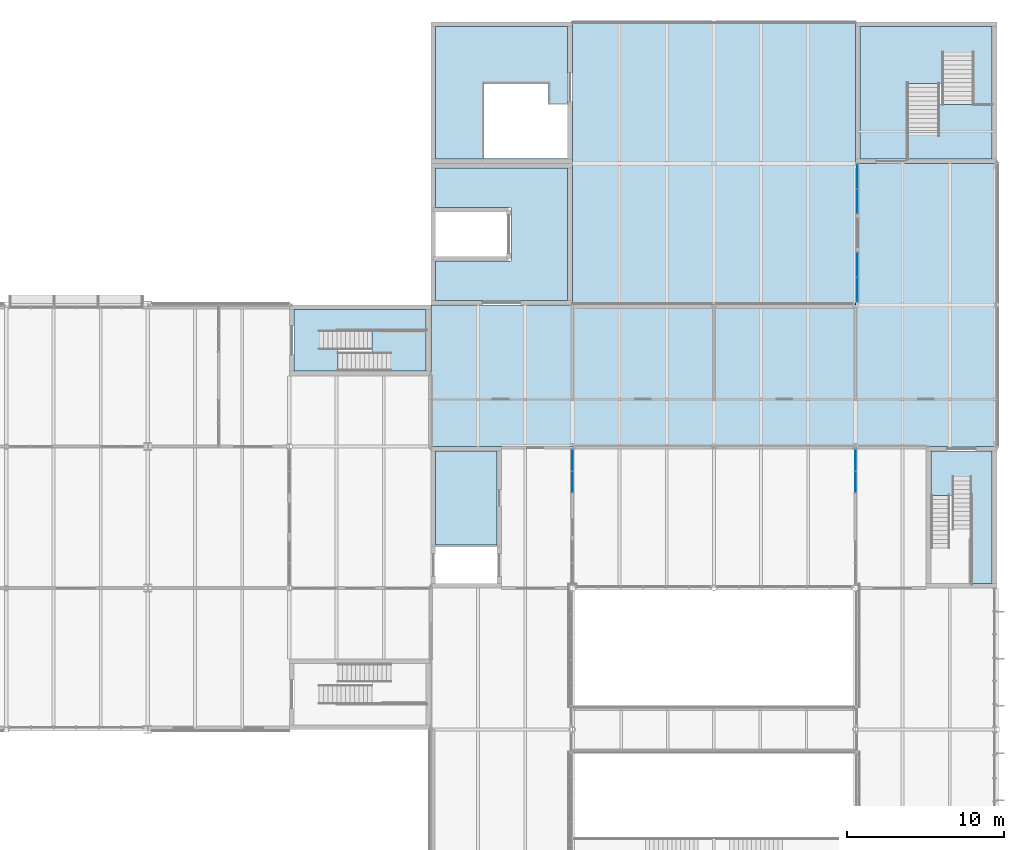
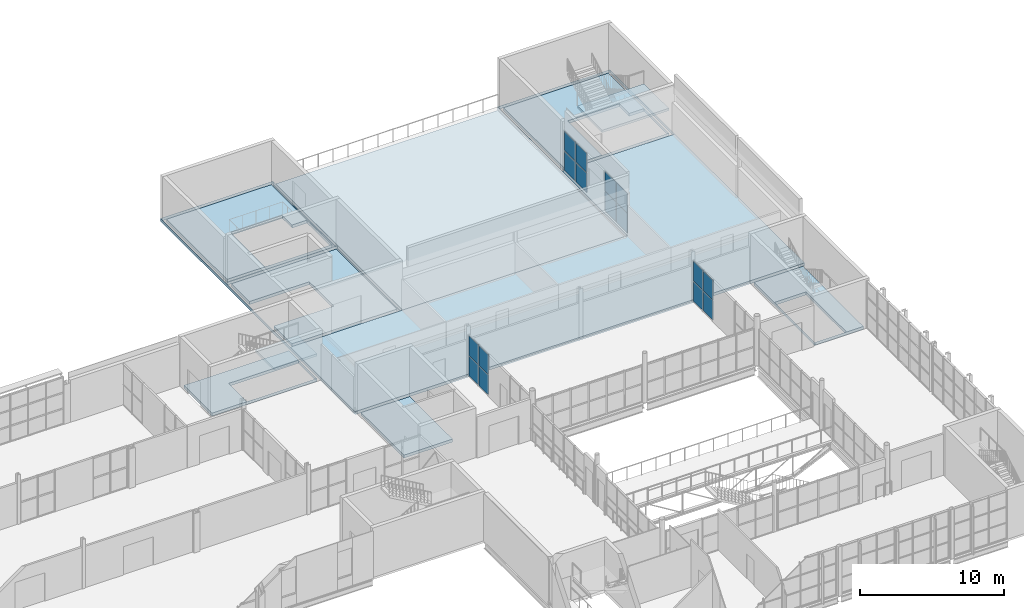
# One storey, part 40 of 61: 16 plates, 10 slabs, 6 elements without a shape of their own.
"""IFC4 building model written with IfcOpenShell, lengths in metres."""

from ifc_helpers import new_model, si_unit, direction, frame, origin, origin_2d, place, context, subcontext, project, spatial, polyline, rectangle, outline, extrude, material, layer, layer_set, type_object, element, aggregate, save


model = new_model("IFC4")

# Units and contexts
model_context = context("Model", 3, precision=1e-05, world=origin(), true_north=direction((0.0, 1.0)))
body_context = subcontext(model_context, "Body", "Model", "MODEL_VIEW")
ifc_project = project(units=[si_unit("LENGTHUNIT", "METRE"), si_unit("AREAUNIT", "SQUARE_METRE"), si_unit("VOLUMEUNIT", "CUBIC_METRE"), si_unit("PLANEANGLEUNIT", "RADIAN"), si_unit("MASSUNIT", "GRAM", prefix="KILO")], contexts=[model_context])

# Site, building, storey
site_placement = place(None, origin())
site = spatial("IfcSite", under=ifc_project, at=site_placement, CompositionType="ELEMENT")
building_placement = place(site_placement, origin())
building = spatial("IfcBuilding", under=site, at=building_placement, Name="Halyard Row Museum", CompositionType="ELEMENT")
storey_placement = place(building_placement, frame((0.0, 0.0, 9.199951171875)))
storey = spatial("IfcBuildingStorey", under=building, at=storey_placement, Name="L02", CompositionType="ELEMENT", Elevation=9.199951171875)

# Slabs
ifc_material_1 = material(Name="Concrete 40 MPa", Category="concrete")
ifc_layer_1 = layer(ifc_material_1, 0.25)
ifc_layer_set_1 = layer_set([ifc_layer_1], Name="Concrete 40 MPa")
slab_type_1 = type_object("IfcSlabType", Name="Composite floor slab heavy duty", PredefinedType="FLOOR", material=ifc_layer_set_1)
slab_1_placement = place(storey_placement, frame((0.0, 0.0, -0.25)))
element("IfcSlab", 1, at=slab_1_placement, inside=storey, type_object=slab_type_1, Name="Floor slab L02-03", PredefinedType="FLOOR", context=body_context, shape_type="SweptSolid", body=[
    extrude(outline(polyline([(72.0, 36.0), (108.0, 36.0), (108.0, 63.0), (99.0, 63.0), (99.0, 45.0), (81.0, 45.0), (81.0, 63.0), (72.0, 63.0), (72.0, 36.0)]), holes=[polyline([(80.9951171875, 45.0048828125), (72.0048828125, 45.0048828125), (72.0048828125, 53.9951171875), (80.9951171875, 53.9951171875), (80.9951171875, 45.0048828125)]), polyline([(80.9951171875, 54.0048828125), (72.0048828125, 54.0048828125), (72.0048828125, 62.9951171875), (80.9951171875, 62.9951171875), (80.9951171875, 54.0048828125)]), polyline([(107.9951171875, 54.0048828125), (99.0048828125, 54.0048828125), (99.0048828125, 62.9951171875), (107.9951171875, 62.9951171875), (107.9951171875, 54.0048828125)])]), origin(), (0.0, 0.0, 1.0), 0.25),
])
ifc_material_2 = material(Name="Concrete 40 MPa", Category="concrete")
ifc_layer_2 = layer(ifc_material_2, 0.25)
ifc_layer_set_2 = layer_set([ifc_layer_2], Name="Concrete 40 MPa")
slab_type_2 = type_object("IfcSlabType", Name="Core floor slab 250", PredefinedType="FLOOR", material=ifc_layer_set_2)
slab_2_placement = place(storey_placement, frame((0.0, 0.0, -0.25)))
element("IfcSlab", 2, at=slab_2_placement, inside=storey, type_object=slab_type_2, Name="Core floor K1B L02", PredefinedType="FLOOR", context=body_context, shape_type="SweptSolid", body=[
    extrude(outline(polyline([(71.699951171875, 44.699951171875), (63.300048828125, 44.699951171875), (63.300048828125, 40.800048828125), (71.699951171875, 40.800048828125), (71.699951171875, 44.699951171875)]), holes=[polyline([(71.697021484375, 43.346923828125), (71.697021484375, 40.802978515625), (66.10302734375, 40.802978515625), (66.10302734375, 43.346923828125), (71.697021484375, 43.346923828125)])]), origin(), (0.0, 0.0, 1.0), 0.25),
])
slab_3_placement = place(storey_placement, frame((0.0, 0.0, -0.25)))
element("IfcSlab", 3, at=slab_3_placement, inside=storey, type_object=slab_type_2, Name="Core floor K2C L02", PredefinedType="FLOOR", context=body_context, shape_type="SweptSolid", body=[
    extrude(outline(polyline([(107.699951171875, 35.699951171875), (103.800048828125, 35.699951171875), (103.800048828125, 27.300048828125), (107.699951171875, 27.300048828125), (107.699951171875, 35.699951171875)]), holes=[polyline([(106.346923828125, 27.302978515625), (103.802978515625, 27.302978515625), (103.802978515625, 32.89697265625), (106.346923828125, 32.89697265625), (106.346923828125, 27.302978515625)])]), origin(), (0.0, 0.0, 1.0), 0.25),
])
slab_4_placement = place(storey_placement, frame((0.0, 0.0, -0.25)))
element("IfcSlab", 4, at=slab_4_placement, inside=storey, type_object=slab_type_2, Name="Core floor K5A L02", PredefinedType="FLOOR", context=body_context, shape_type="SweptSolid", body=[
    extrude(outline(polyline([(80.699951171875, 62.699951171875), (72.300048828125, 62.699951171875), (72.300048828125, 54.300048828125), (80.699951171875, 54.300048828125), (80.699951171875, 62.699951171875)]), holes=[polyline([(79.4970703125, 59.096923828125), (79.4970703125, 57.737060546875), (80.697021484375, 57.737060546875), (80.697021484375, 54.302978515625), (75.35302734375, 54.302978515625), (75.35302734375, 59.096923828125), (79.4970703125, 59.096923828125)])]), origin(), (0.0, 0.0, 1.0), 0.25),
])
slab_5_placement = place(storey_placement, frame((0.0, 0.0, -0.25)))
element("IfcSlab", 5, at=slab_5_placement, inside=storey, type_object=slab_type_2, Name="Core floor K5B L02", PredefinedType="FLOOR", context=body_context, shape_type="SweptSolid", body=[
    extrude(outline(polyline([(107.699951171875, 62.699951171875), (99.300048828125, 62.699951171875), (99.300048828125, 54.300048828125), (107.699951171875, 54.300048828125), (107.699951171875, 62.699951171875)]), holes=[polyline([(106.4970703125, 59.096923828125), (106.4970703125, 57.737060546875), (107.697021484375, 57.737060546875), (107.697021484375, 54.302978515625), (102.35302734375, 54.302978515625), (102.35302734375, 59.096923828125), (106.4970703125, 59.096923828125)])]), origin(), (0.0, 0.0, 1.0), 0.25),
])
slab_6_placement = place(storey_placement, frame((0.0, 0.0, -0.25)))
element("IfcSlab", 6, at=slab_6_placement, inside=storey, type_object=slab_type_2, Name="Core floor K8 L02", PredefinedType="FLOOR", context=body_context, shape_type="SweptSolid", body=[
    extrude(outline(polyline([(80.699951171875, 53.699951171875), (72.300048828125, 53.699951171875), (72.300048828125, 51.199951171875), (77.10009765625, 51.199951171875), (77.10009765625, 47.800048828125), (72.300048828125, 47.800048828125), (72.300048828125, 45.300048828125), (80.699951171875, 45.300048828125), (80.699951171875, 53.699951171875)])), origin(), (0.0, 0.0, 1.0), 0.25),
])
slab_7_placement = place(storey_placement, frame((0.0, 0.0, -0.25)))
element("IfcSlab", 7, at=slab_7_placement, inside=storey, type_object=slab_type_2, Name="Core floor K7 L02", PredefinedType="FLOOR", context=body_context, shape_type="SweptSolid", body=[
    extrude(outline(polyline([(76.199951171875, 35.699951171875), (72.300048828125, 35.699951171875), (72.300048828125, 29.75), (76.199951171875, 29.75), (76.199951171875, 35.699951171875)])), origin(), (0.0, 0.0, 1.0), 0.25),
])

# Curtain wall, plates
ifc_material_3 = material(Name="Double glazed unit, low-emissivity", Category="glass")
ifc_layer_3 = layer(ifc_material_3, 0.179931640625)
ifc_layer_set_3 = layer_set([ifc_layer_3], Name="Double glazed unit, low-emissivity")
curtain_wall_type_1 = type_object("IfcCurtainWallType", Name="Curtain wall stick 180 deep", PredefinedType="NOTDEFINED", material=ifc_layer_set_3)
curtain_wall_1_placement = place(storey_placement, origin())
curtain_wall_1 = element("IfcCurtainWall", 8, at=curtain_wall_1_placement, inside=storey, type_object=curtain_wall_type_1, Name="Curtain wall CW033", PredefinedType="NOTDEFINED")
ifc_material_4 = material(Name="Double glazed unit, low-emissivity", Category="glass")
ifc_layer_4 = layer(ifc_material_4, 0.028076171875)
ifc_layer_set_4 = layer_set([ifc_layer_4], Name="Double glazed unit, low-emissivity")
plate_type_1 = type_object("IfcPlateType", Name="Curtain wall glazed panel CP2 28", PredefinedType="CURTAIN_PANEL", material=ifc_layer_set_4)
plate_1_placement = place(storey_placement, frame((99.139892578125, 53.1787109375, 0.06005859375), z_axis=(0.0, 0.0, 1.0), x_axis=(0.0, -1.0, 0.0)))
plate_1 = element("IfcPlate", 9, at=plate_1_placement, type_object=plate_type_1, Name="CW033 panel 1.1", PredefinedType="CURTAIN_PANEL", context=body_context, shape_type="SweptSolid", body=[
    extrude(rectangle(XDim=1.5224609375, YDim=0.028076171875, at=origin_2d()), origin(), (0.0, 0.0, 1.0), 1.635009765625),
])
plate_2_placement = place(storey_placement, frame((99.139892578125, 53.1787109375, 1.7548828125), z_axis=(0.0, 0.0, 1.0), x_axis=(0.0, -1.0, 0.0)))
plate_2 = element("IfcPlate", 10, at=plate_2_placement, type_object=plate_type_1, Name="CW033 panel 1.2", PredefinedType="CURTAIN_PANEL", context=body_context, shape_type="SweptSolid", body=[
    extrude(rectangle(XDim=1.5224609375, YDim=0.028076171875, at=origin_2d()), origin(), (0.0, 0.0, 1.0), 1.635009765625),
])
plate_3_placement = place(storey_placement, frame((99.139892578125, 51.59619140625, 0.06005859375), z_axis=(0.0, 0.0, 1.0), x_axis=(0.0, -1.0, 0.0)))
plate_3 = element("IfcPlate", 11, at=plate_3_placement, type_object=plate_type_1, Name="CW033 panel 2.1", PredefinedType="CURTAIN_PANEL", context=body_context, shape_type="SweptSolid", body=[
    extrude(rectangle(XDim=1.5224609375, YDim=0.028076171875, at=origin_2d()), origin(), (0.0, 0.0, 1.0), 1.635009765625),
])
plate_4_placement = place(storey_placement, frame((99.139892578125, 51.59619140625, 1.7548828125), z_axis=(0.0, 0.0, 1.0), x_axis=(0.0, -1.0, 0.0)))
plate_4 = element("IfcPlate", 12, at=plate_4_placement, type_object=plate_type_1, Name="CW033 panel 2.2", PredefinedType="CURTAIN_PANEL", context=body_context, shape_type="SweptSolid", body=[
    extrude(rectangle(XDim=1.5224609375, YDim=0.028076171875, at=origin_2d()), origin(), (0.0, 0.0, 1.0), 1.635009765625),
])
aggregate(curtain_wall_1, [plate_1, plate_2, plate_3, plate_4])

curtain_wall_2_placement = place(storey_placement, origin())
curtain_wall_2 = element("IfcCurtainWall", 13, at=curtain_wall_2_placement, inside=storey, type_object=curtain_wall_type_1, Name="Curtain wall CW034", PredefinedType="NOTDEFINED")
plate_5_placement = place(storey_placement, frame((99.139892578125, 47.5537109375, 0.06005859375), z_axis=(0.0, 0.0, 1.0), x_axis=(0.0, -1.0, 0.0)))
plate_5 = element("IfcPlate", 14, at=plate_5_placement, type_object=plate_type_1, Name="CW034 panel 1.1", PredefinedType="CURTAIN_PANEL", context=body_context, shape_type="SweptSolid", body=[
    extrude(rectangle(XDim=1.5224609375, YDim=0.028076171875, at=origin_2d()), origin(), (0.0, 0.0, 1.0), 1.635009765625),
])
plate_6_placement = place(storey_placement, frame((99.139892578125, 47.5537109375, 1.7548828125), z_axis=(0.0, 0.0, 1.0), x_axis=(0.0, -1.0, 0.0)))
plate_6 = element("IfcPlate", 15, at=plate_6_placement, type_object=plate_type_1, Name="CW034 panel 1.2", PredefinedType="CURTAIN_PANEL", context=body_context, shape_type="SweptSolid", body=[
    extrude(rectangle(XDim=1.5224609375, YDim=0.028076171875, at=origin_2d()), origin(), (0.0, 0.0, 1.0), 1.635009765625),
])
plate_7_placement = place(storey_placement, frame((99.139892578125, 45.97119140625, 0.06005859375), z_axis=(0.0, 0.0, 1.0), x_axis=(0.0, -1.0, 0.0)))
plate_7 = element("IfcPlate", 16, at=plate_7_placement, type_object=plate_type_1, Name="CW034 panel 2.1", PredefinedType="CURTAIN_PANEL", context=body_context, shape_type="SweptSolid", body=[
    extrude(rectangle(XDim=1.5224609375, YDim=0.028076171875, at=origin_2d()), origin(), (0.0, 0.0, 1.0), 1.635009765625),
])
plate_8_placement = place(storey_placement, frame((99.139892578125, 45.97119140625, 1.7548828125), z_axis=(0.0, 0.0, 1.0), x_axis=(0.0, -1.0, 0.0)))
plate_8 = element("IfcPlate", 17, at=plate_8_placement, type_object=plate_type_1, Name="CW034 panel 2.2", PredefinedType="CURTAIN_PANEL", context=body_context, shape_type="SweptSolid", body=[
    extrude(rectangle(XDim=1.5224609375, YDim=0.028076171875, at=origin_2d()), origin(), (0.0, 0.0, 1.0), 1.635009765625),
])
aggregate(curtain_wall_2, [plate_5, plate_6, plate_7, plate_8])

ifc_material_5 = material(Name="Fire-resisting laminated glazing", Category="glass")
ifc_layer_5 = layer(ifc_material_5, 0.159912109375)
ifc_layer_set_5 = layer_set([ifc_layer_5], Name="Fire-resisting laminated glazing")
curtain_wall_type_2 = type_object("IfcCurtainWallType", Name="Curtain wall atrium screen 160 deep", PredefinedType="NOTDEFINED", material=ifc_layer_set_5)
curtain_wall_3_placement = place(storey_placement, origin())
curtain_wall_3 = element("IfcCurtainWall", 18, at=curtain_wall_3_placement, inside=storey, type_object=curtain_wall_type_2, Name="Curtain wall CW173", PredefinedType="NOTDEFINED")
ifc_material_6 = material(Name="Fire-resisting laminated glazing", Category="glass")
ifc_layer_6 = layer(ifc_material_6, 0.0400390625)
ifc_layer_set_6 = layer_set([ifc_layer_6], Name="Fire-resisting laminated glazing")
plate_type_2 = type_object("IfcPlateType", Name="Curtain wall glazed panel CP5 40", PredefinedType="CURTAIN_PANEL", material=ifc_layer_set_6)
plate_9_placement = place(storey_placement, frame((81.0, 33.740966796875, 0.06005859375), z_axis=(0.0, 0.0, 1.0), x_axis=(0.0, 1.0, 0.0)))
plate_9 = element("IfcPlate", 19, at=plate_9_placement, type_object=plate_type_2, Name="CW173 panel 1.1", PredefinedType="CURTAIN_PANEL", context=body_context, shape_type="SweptSolid", body=[
    extrude(rectangle(XDim=1.319091796875, YDim=0.0400390625, at=origin_2d()), origin(), (0.0, 0.0, 1.0), 1.660888671875),
])
plate_10_placement = place(storey_placement, frame((81.0, 33.740966796875, 1.78125), z_axis=(0.0, 0.0, 1.0), x_axis=(0.0, 1.0, 0.0)))
plate_10 = element("IfcPlate", 20, at=plate_10_placement, type_object=plate_type_2, Name="CW173 panel 1.2", PredefinedType="CURTAIN_PANEL", context=body_context, shape_type="SweptSolid", body=[
    extrude(rectangle(XDim=1.319091796875, YDim=0.0400390625, at=origin_2d()), origin(), (0.0, 0.0, 1.0), 1.660888671875),
])
plate_11_placement = place(storey_placement, frame((81.0, 35.1201171875, 0.06005859375), z_axis=(0.0, 0.0, 1.0), x_axis=(0.0, 1.0, 0.0)))
plate_11 = element("IfcPlate", 21, at=plate_11_placement, type_object=plate_type_2, Name="CW173 panel 2.1", PredefinedType="CURTAIN_PANEL", context=body_context, shape_type="SweptSolid", body=[
    extrude(rectangle(XDim=1.319091796875, YDim=0.0400390625, at=origin_2d()), origin(), (0.0, 0.0, 1.0), 1.660888671875),
])
plate_12_placement = place(storey_placement, frame((81.0, 35.1201171875, 1.78125), z_axis=(0.0, 0.0, 1.0), x_axis=(0.0, 1.0, 0.0)))
plate_12 = element("IfcPlate", 22, at=plate_12_placement, type_object=plate_type_2, Name="CW173 panel 2.2", PredefinedType="CURTAIN_PANEL", context=body_context, shape_type="SweptSolid", body=[
    extrude(rectangle(XDim=1.319091796875, YDim=0.0400390625, at=origin_2d()), origin(), (0.0, 0.0, 1.0), 1.660888671875),
])
aggregate(curtain_wall_3, [plate_9, plate_10, plate_11, plate_12])

curtain_wall_4_placement = place(storey_placement, origin())
curtain_wall_4 = element("IfcCurtainWall", 23, at=curtain_wall_4_placement, inside=storey, type_object=curtain_wall_type_2, Name="Curtain wall CW175", PredefinedType="NOTDEFINED")
plate_13_placement = place(storey_placement, frame((99.0, 33.740966796875, 0.06005859375), z_axis=(0.0, 0.0, 1.0), x_axis=(0.0, 1.0, 0.0)))
plate_13 = element("IfcPlate", 24, at=plate_13_placement, type_object=plate_type_2, Name="CW175 panel 1.1", PredefinedType="CURTAIN_PANEL", context=body_context, shape_type="SweptSolid", body=[
    extrude(rectangle(XDim=1.319091796875, YDim=0.0400390625, at=origin_2d()), origin(), (0.0, 0.0, 1.0), 1.660888671875),
])
plate_14_placement = place(storey_placement, frame((99.0, 33.740966796875, 1.78125), z_axis=(0.0, 0.0, 1.0), x_axis=(0.0, 1.0, 0.0)))
plate_14 = element("IfcPlate", 25, at=plate_14_placement, type_object=plate_type_2, Name="CW175 panel 1.2", PredefinedType="CURTAIN_PANEL", context=body_context, shape_type="SweptSolid", body=[
    extrude(rectangle(XDim=1.319091796875, YDim=0.0400390625, at=origin_2d()), origin(), (0.0, 0.0, 1.0), 1.660888671875),
])
plate_15_placement = place(storey_placement, frame((99.0, 35.1201171875, 0.06005859375), z_axis=(0.0, 0.0, 1.0), x_axis=(0.0, 1.0, 0.0)))
plate_15 = element("IfcPlate", 26, at=plate_15_placement, type_object=plate_type_2, Name="CW175 panel 2.1", PredefinedType="CURTAIN_PANEL", context=body_context, shape_type="SweptSolid", body=[
    extrude(rectangle(XDim=1.319091796875, YDim=0.0400390625, at=origin_2d()), origin(), (0.0, 0.0, 1.0), 1.660888671875),
])
plate_16_placement = place(storey_placement, frame((99.0, 35.1201171875, 1.78125), z_axis=(0.0, 0.0, 1.0), x_axis=(0.0, 1.0, 0.0)))
plate_16 = element("IfcPlate", 27, at=plate_16_placement, type_object=plate_type_2, Name="CW175 panel 2.2", PredefinedType="CURTAIN_PANEL", context=body_context, shape_type="SweptSolid", body=[
    extrude(rectangle(XDim=1.319091796875, YDim=0.0400390625, at=origin_2d()), origin(), (0.0, 0.0, 1.0), 1.660888671875),
])
aggregate(curtain_wall_4, [plate_13, plate_14, plate_15, plate_16])

# Stair, slab
ifc_material_7 = material(Name="Concrete 40 MPa", Category="concrete")
stair_type_1 = type_object("IfcStairType", Name="Exit stair two flights 1200", PredefinedType="HALF_TURN_STAIR", material=ifc_material_7)
stair_1_placement = place(storey_placement, origin())
stair_1 = element("IfcStair", 28, at=stair_1_placement, inside=storey, type_object=stair_type_1, Name="Exit stair K1B L02", PredefinedType="HALF_TURN_STAIR")
ifc_material_8 = material(Name="Concrete 40 MPa", Category="concrete")
ifc_layer_7 = layer(ifc_material_8, 0.199951171875)
ifc_layer_set_7 = layer_set([ifc_layer_7], Name="Concrete 40 MPa")
slab_type_3 = type_object("IfcSlabType", Name="Exit stair landing 200", PredefinedType="LANDING", material=ifc_layer_set_7)
slab_8_placement = place(storey_placement, frame((0.0, 0.0, 1.900146484375)))
slab_8 = element("IfcSlab", 29, at=slab_8_placement, type_object=slab_type_3, Name="STK1B-L02 landing 1", PredefinedType="LANDING", context=body_context, shape_type="SweptSolid", body=[
    extrude(outline(polyline([(68.260009765625, 43.35009765625), (68.260009765625, 40.800048828125), (71.699951171875, 40.800048828125), (71.699951171875, 43.35009765625), (68.260009765625, 43.35009765625)])), origin(), (0.0, 0.0, 1.0), 0.199951171875),
])
aggregate(stair_1, [slab_8])

ifc_material_9 = material(Name="Concrete 40 MPa", Category="concrete")
stair_type_2 = type_object("IfcStairType", Name="Exit stair two flights 2000", PredefinedType="HALF_TURN_STAIR", material=ifc_material_9)
stair_2_placement = place(storey_placement, origin())
stair_2 = element("IfcStair", 30, at=stair_2_placement, inside=storey, type_object=stair_type_2, Name="Exit stair K5B L02", PredefinedType="HALF_TURN_STAIR")
slab_9_placement = place(storey_placement, frame((0.0, 0.0, 1.900146484375)))
slab_9 = element("IfcSlab", 31, at=slab_9_placement, type_object=slab_type_3, Name="STK5B-L02 landing 1", PredefinedType="LANDING", context=body_context, shape_type="SweptSolid", body=[
    extrude(outline(polyline([(107.699951171875, 57.739990234375), (102.35009765625, 57.739990234375), (102.35009765625, 54.300048828125), (107.699951171875, 54.300048828125), (107.699951171875, 57.739990234375)])), origin(), (0.0, 0.0, 1.0), 0.199951171875),
])
aggregate(stair_2, [slab_9])

# Slab
ifc_material_10 = material(Name="Concrete 40 MPa", Category="concrete")
ifc_layer_8 = layer(ifc_material_10, 0.25)
ifc_layer_set_8 = layer_set([ifc_layer_8], Name="Concrete 40 MPa")
slab_type_4 = type_object("IfcSlabType", Name="Terrace roof slab", PredefinedType="ROOF", material=ifc_layer_set_8)
slab_10_placement = place(storey_placement, frame((0.0, 0.0, -0.550048828125)))
element("IfcSlab", 32, at=slab_10_placement, inside=storey, type_object=slab_type_4, Name="Terrace roof slab L02-04", PredefinedType="ROOF", context=body_context, shape_type="SweptSolid", body=[
    extrude(outline(polyline([(81.0, 63.0), (81.0, 45.009033203125), (98.990966796875, 45.009033203125), (98.990966796875, 54.0), (99.0, 54.0), (99.0, 63.0), (81.0, 63.0)])), origin(), (0.0, 0.0, 1.0), 0.25),
])

save(model, "model.ifc")
